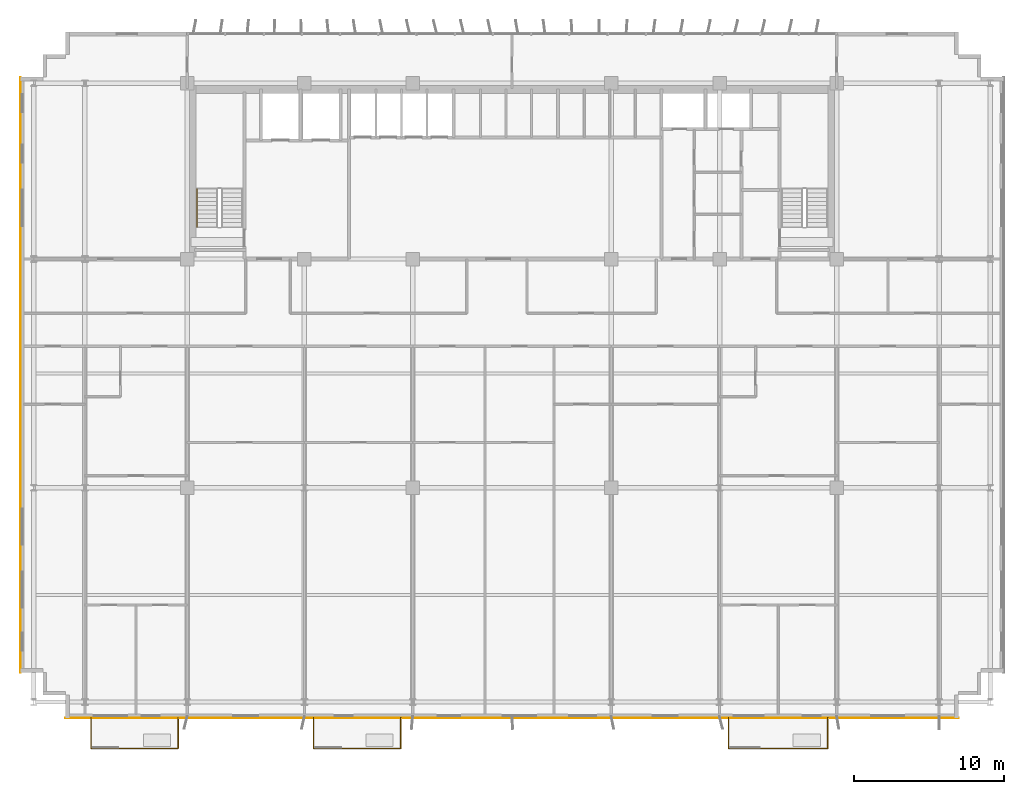
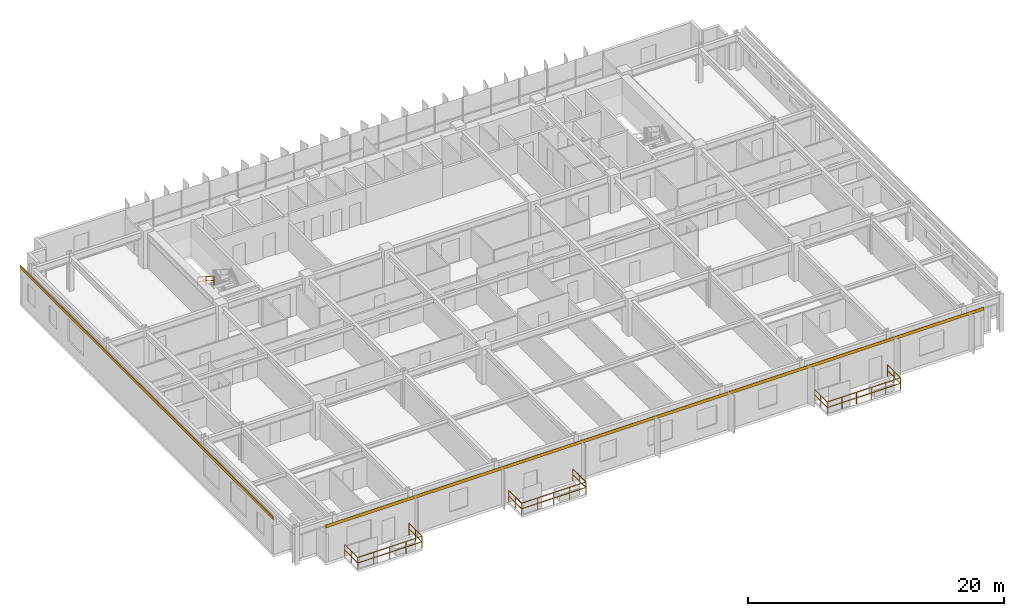
# One storey, part 20 of 22: 10 railings, 2 coverings.
"""IFC4 building model written with IfcOpenShell, lengths in metres."""

from ifc_helpers import new_model, si_unit, direction, frame, origin, origin_2d, place, context, subcontext, project, spatial, rectangle, extrude, source, transform, mapped, material, layer, layer_set, type_object, element, save


model = new_model("IFC4")

# Units and contexts
model_context = context("Model", 3, precision=1e-05, world=origin(), true_north=direction((0.0, 1.0)))
body_context = subcontext(model_context, "Body", "Model", "MODEL_VIEW")
ifc_project = project(units=[si_unit("LENGTHUNIT", "METRE"), si_unit("AREAUNIT", "SQUARE_METRE"), si_unit("VOLUMEUNIT", "CUBIC_METRE"), si_unit("PLANEANGLEUNIT", "RADIAN"), si_unit("MASSUNIT", "GRAM", prefix="KILO")], contexts=[model_context])

# Site, building, storey
site_placement = place(None, origin())
site = spatial("IfcSite", under=ifc_project, at=site_placement, CompositionType="ELEMENT")
building_placement = place(site_placement, origin())
building = spatial("IfcBuilding", under=site, at=building_placement, Name="Trelvane Seafront Commons", CompositionType="ELEMENT")
storey_placement = place(building_placement, frame((0.0, 0.0, 59.5)))
storey = spatial("IfcBuildingStorey", under=building, at=storey_placement, Name="L15", CompositionType="ELEMENT", Elevation=59.5)

# Railings
ifc_material_1 = material(Name="Stainless steel balustrade", Category="steel")
railing_type_1 = type_object("IfcRailingType", Name="ARCH-RAIL-BAL1150", PredefinedType="BALUSTRADE", material=ifc_material_1)
railing_1_placement = place(storey_placement, frame((9.199951171875, 2.89990234375, 0.0)))
element("IfcRailing", 1, at=railing_1_placement, inside=storey, type_object=railing_type_1, Name="RL-L15-BAL0-01", PredefinedType="BALUSTRADE", context=body_context, shape_type="SweptSolid", body=[
    extrude(rectangle(XDim=0.048095703125, YDim=0.048095703125, at=origin_2d()), frame((0.0, 0.0, 1.1259765625), z_axis=(0.0, -1.0, 0.0), x_axis=(1.0, 0.0, 0.0)), (0.0, 0.0, 1.0), 2.039794921875),
    extrude(rectangle(XDim=0.048095703125, YDim=0.048095703125, at=origin_2d()), frame((0.0, 0.0, 0.597900390625), z_axis=(0.0, -1.0, 0.0), x_axis=(1.0, 0.0, 0.0)), (0.0, 0.0, 1.0), 2.039794921875),
    extrude(rectangle(XDim=0.0419921875, YDim=0.0419921875, at=origin_2d()), origin(), (0.0, 0.0, 1.0), 1.1259765625),
    extrude(rectangle(XDim=0.0419921875, YDim=0.0419921875, at=origin_2d()), frame((0.0, -1.02001953125, 0.0)), (0.0, 0.0, 1.0), 1.1259765625),
    extrude(rectangle(XDim=0.0419921875, YDim=0.0419921875, at=origin_2d()), frame((0.0, -2.039794921875, 0.0)), (0.0, 0.0, 1.0), 1.1259765625),
])
railing_2_placement = place(storey_placement, frame((9.199951171875, 0.860107421875, 0.0)))
element("IfcRailing", 2, at=railing_2_placement, inside=storey, type_object=railing_type_1, Name="RL-L15-BAL0-02", PredefinedType="BALUSTRADE", context=body_context, shape_type="SweptSolid", body=[
    extrude(rectangle(XDim=0.048095703125, YDim=0.048095703125, at=origin_2d()), frame((0.0, 0.0, 1.1259765625), z_axis=(1.0, 0.0, 0.0), x_axis=(0.0, 1.0, 0.0)), (0.0, 0.0, 1.0), 5.800048828125),
    extrude(rectangle(XDim=0.048095703125, YDim=0.048095703125, at=origin_2d()), frame((0.0, 0.0, 0.597900390625), z_axis=(1.0, 0.0, 0.0), x_axis=(0.0, 1.0, 0.0)), (0.0, 0.0, 1.0), 5.800048828125),
    extrude(rectangle(XDim=0.0419921875, YDim=0.0419921875, at=origin_2d()), origin(), (0.0, 0.0, 1.0), 1.1259765625),
    extrude(rectangle(XDim=0.0419921875, YDim=0.0419921875, at=origin_2d()), frame((1.449951171875, 0.0, 0.0)), (0.0, 0.0, 1.0), 1.1259765625),
    extrude(rectangle(XDim=0.0419921875, YDim=0.0419921875, at=origin_2d()), frame((2.89990234375, 0.0, 0.0)), (0.0, 0.0, 1.0), 1.1259765625),
    extrude(rectangle(XDim=0.0419921875, YDim=0.0419921875, at=origin_2d()), frame((4.35009765625, 0.0, 0.0)), (0.0, 0.0, 1.0), 1.1259765625),
    extrude(rectangle(XDim=0.0419921875, YDim=0.0419921875, at=origin_2d()), frame((5.800048828125, 0.0, 0.0)), (0.0, 0.0, 1.0), 1.1259765625),
])
railing_3_placement = place(storey_placement, frame((15.0, 0.860107421875, 0.0)))
element("IfcRailing", 3, at=railing_3_placement, inside=storey, type_object=railing_type_1, Name="RL-L15-BAL0-03", PredefinedType="BALUSTRADE", context=body_context, shape_type="SweptSolid", body=[
    extrude(rectangle(XDim=0.048095703125, YDim=0.048095703125, at=origin_2d()), frame((0.0, 0.0, 1.1259765625), z_axis=(0.0, 1.0, 0.0), x_axis=(-1.0, 0.0, 0.0)), (0.0, 0.0, 1.0), 2.039794921875),
    extrude(rectangle(XDim=0.048095703125, YDim=0.048095703125, at=origin_2d()), frame((0.0, 0.0, 0.597900390625), z_axis=(0.0, 1.0, 0.0), x_axis=(-1.0, 0.0, 0.0)), (0.0, 0.0, 1.0), 2.039794921875),
    extrude(rectangle(XDim=0.0419921875, YDim=0.0419921875, at=origin_2d()), origin(), (0.0, 0.0, 1.0), 1.1259765625),
    extrude(rectangle(XDim=0.0419921875, YDim=0.0419921875, at=origin_2d()), frame((0.0, 1.02001953125, 0.0)), (0.0, 0.0, 1.0), 1.1259765625),
    extrude(rectangle(XDim=0.0419921875, YDim=0.0419921875, at=origin_2d()), frame((0.0, 2.039794921875, 0.0)), (0.0, 0.0, 1.0), 1.1259765625),
])
railing_4_placement = place(storey_placement, frame((24.0, 2.89990234375, 0.0)))
element("IfcRailing", 4, at=railing_4_placement, inside=storey, type_object=railing_type_1, Name="RL-L15-BAL1-01", PredefinedType="BALUSTRADE", context=body_context, shape_type="SweptSolid", body=[
    extrude(rectangle(XDim=0.048095703125, YDim=0.048095703125, at=origin_2d()), frame((0.0, 0.0, 1.1259765625), z_axis=(0.0, -1.0, 0.0), x_axis=(1.0, 0.0, 0.0)), (0.0, 0.0, 1.0), 2.039794921875),
    extrude(rectangle(XDim=0.048095703125, YDim=0.048095703125, at=origin_2d()), frame((0.0, 0.0, 0.597900390625), z_axis=(0.0, -1.0, 0.0), x_axis=(1.0, 0.0, 0.0)), (0.0, 0.0, 1.0), 2.039794921875),
    extrude(rectangle(XDim=0.0419921875, YDim=0.0419921875, at=origin_2d()), origin(), (0.0, 0.0, 1.0), 1.1259765625),
    extrude(rectangle(XDim=0.0419921875, YDim=0.0419921875, at=origin_2d()), frame((0.0, -1.02001953125, 0.0)), (0.0, 0.0, 1.0), 1.1259765625),
    extrude(rectangle(XDim=0.0419921875, YDim=0.0419921875, at=origin_2d()), frame((0.0, -2.039794921875, 0.0)), (0.0, 0.0, 1.0), 1.1259765625),
])
railing_5_placement = place(storey_placement, frame((24.0, 0.860107421875, 0.0)))
element("IfcRailing", 5, at=railing_5_placement, inside=storey, type_object=railing_type_1, Name="RL-L15-BAL1-02", PredefinedType="BALUSTRADE", context=body_context, shape_type="SweptSolid", body=[
    extrude(rectangle(XDim=0.048095703125, YDim=0.048095703125, at=origin_2d()), frame((0.0, 0.0, 1.1259765625), z_axis=(1.0, 0.0, 0.0), x_axis=(0.0, 1.0, 0.0)), (0.0, 0.0, 1.0), 5.800048828125),
    extrude(rectangle(XDim=0.048095703125, YDim=0.048095703125, at=origin_2d()), frame((0.0, 0.0, 0.597900390625), z_axis=(1.0, 0.0, 0.0), x_axis=(0.0, 1.0, 0.0)), (0.0, 0.0, 1.0), 5.800048828125),
    extrude(rectangle(XDim=0.0419921875, YDim=0.0419921875, at=origin_2d()), origin(), (0.0, 0.0, 1.0), 1.1259765625),
    extrude(rectangle(XDim=0.0419921875, YDim=0.0419921875, at=origin_2d()), frame((1.449951171875, 0.0, 0.0)), (0.0, 0.0, 1.0), 1.1259765625),
    extrude(rectangle(XDim=0.0419921875, YDim=0.0419921875, at=origin_2d()), frame((2.89990234375, 0.0, 0.0)), (0.0, 0.0, 1.0), 1.1259765625),
    extrude(rectangle(XDim=0.0419921875, YDim=0.0419921875, at=origin_2d()), frame((4.35009765625, 0.0, 0.0)), (0.0, 0.0, 1.0), 1.1259765625),
    extrude(rectangle(XDim=0.0419921875, YDim=0.0419921875, at=origin_2d()), frame((5.800048828125, 0.0, 0.0)), (0.0, 0.0, 1.0), 1.1259765625),
])
railing_6_placement = place(storey_placement, frame((29.800048828125, 0.860107421875, 0.0)))
element("IfcRailing", 6, at=railing_6_placement, inside=storey, type_object=railing_type_1, Name="RL-L15-BAL1-03", PredefinedType="BALUSTRADE", context=body_context, shape_type="SweptSolid", body=[
    extrude(rectangle(XDim=0.048095703125, YDim=0.048095703125, at=origin_2d()), frame((0.0, 0.0, 1.1259765625), z_axis=(0.0, 1.0, 0.0), x_axis=(-1.0, 0.0, 0.0)), (0.0, 0.0, 1.0), 2.039794921875),
    extrude(rectangle(XDim=0.048095703125, YDim=0.048095703125, at=origin_2d()), frame((0.0, 0.0, 0.597900390625), z_axis=(0.0, 1.0, 0.0), x_axis=(-1.0, 0.0, 0.0)), (0.0, 0.0, 1.0), 2.039794921875),
    extrude(rectangle(XDim=0.0419921875, YDim=0.0419921875, at=origin_2d()), origin(), (0.0, 0.0, 1.0), 1.1259765625),
    extrude(rectangle(XDim=0.0419921875, YDim=0.0419921875, at=origin_2d()), frame((0.0, 1.02001953125, 0.0)), (0.0, 0.0, 1.0), 1.1259765625),
    extrude(rectangle(XDim=0.0419921875, YDim=0.0419921875, at=origin_2d()), frame((0.0, 2.039794921875, 0.0)), (0.0, 0.0, 1.0), 1.1259765625),
])
railing_7_placement = place(storey_placement, frame((51.60009765625, 2.89990234375, 0.0)))
element("IfcRailing", 7, at=railing_7_placement, inside=storey, type_object=railing_type_1, Name="RL-L15-BAL2-01", PredefinedType="BALUSTRADE", context=body_context, shape_type="SweptSolid", body=[
    extrude(rectangle(XDim=0.048095703125, YDim=0.048095703125, at=origin_2d()), frame((0.0, 0.0, 1.1259765625), z_axis=(0.0, -1.0, 0.0), x_axis=(1.0, 0.0, 0.0)), (0.0, 0.0, 1.0), 2.039794921875),
    extrude(rectangle(XDim=0.048095703125, YDim=0.048095703125, at=origin_2d()), frame((0.0, 0.0, 0.597900390625), z_axis=(0.0, -1.0, 0.0), x_axis=(1.0, 0.0, 0.0)), (0.0, 0.0, 1.0), 2.039794921875),
    extrude(rectangle(XDim=0.0419921875, YDim=0.0419921875, at=origin_2d()), origin(), (0.0, 0.0, 1.0), 1.1259765625),
    extrude(rectangle(XDim=0.0419921875, YDim=0.0419921875, at=origin_2d()), frame((0.0, -1.02001953125, 0.0)), (0.0, 0.0, 1.0), 1.1259765625),
    extrude(rectangle(XDim=0.0419921875, YDim=0.0419921875, at=origin_2d()), frame((0.0, -2.039794921875, 0.0)), (0.0, 0.0, 1.0), 1.1259765625),
])
railing_8_placement = place(storey_placement, frame((51.60009765625, 0.860107421875, 0.0)))
element("IfcRailing", 8, at=railing_8_placement, inside=storey, type_object=railing_type_1, Name="RL-L15-BAL2-02", PredefinedType="BALUSTRADE", context=body_context, shape_type="SweptSolid", body=[
    extrude(rectangle(XDim=0.048095703125, YDim=0.048095703125, at=origin_2d()), frame((0.0, 0.0, 1.1259765625), z_axis=(1.0, 0.0, 0.0), x_axis=(0.0, 1.0, 0.0)), (0.0, 0.0, 1.0), 6.599853515625),
    extrude(rectangle(XDim=0.048095703125, YDim=0.048095703125, at=origin_2d()), frame((0.0, 0.0, 0.597900390625), z_axis=(1.0, 0.0, 0.0), x_axis=(0.0, 1.0, 0.0)), (0.0, 0.0, 1.0), 6.599853515625),
    extrude(rectangle(XDim=0.0419921875, YDim=0.0419921875, at=origin_2d()), origin(), (0.0, 0.0, 1.0), 1.1259765625),
    extrude(rectangle(XDim=0.0419921875, YDim=0.0419921875, at=origin_2d()), frame((1.320068359375, 0.0, 0.0)), (0.0, 0.0, 1.0), 1.1259765625),
    extrude(rectangle(XDim=0.0419921875, YDim=0.0419921875, at=origin_2d()), frame((2.639892578125, 0.0, 0.0)), (0.0, 0.0, 1.0), 1.1259765625),
    extrude(rectangle(XDim=0.0419921875, YDim=0.0419921875, at=origin_2d()), frame((3.9599609375, 0.0, 0.0)), (0.0, 0.0, 1.0), 1.1259765625),
    extrude(rectangle(XDim=0.0419921875, YDim=0.0419921875, at=origin_2d()), frame((5.27978515625, 0.0, 0.0)), (0.0, 0.0, 1.0), 1.1259765625),
    extrude(rectangle(XDim=0.0419921875, YDim=0.0419921875, at=origin_2d()), frame((6.599853515625, 0.0, 0.0)), (0.0, 0.0, 1.0), 1.1259765625),
])
railing_9_placement = place(storey_placement, frame((58.199951171875, 0.860107421875, 0.0)))
element("IfcRailing", 9, at=railing_9_placement, inside=storey, type_object=railing_type_1, Name="RL-L15-BAL2-03", PredefinedType="BALUSTRADE", context=body_context, shape_type="SweptSolid", body=[
    extrude(rectangle(XDim=0.048095703125, YDim=0.048095703125, at=origin_2d()), frame((0.0, 0.0, 1.1259765625), z_axis=(0.0, 1.0, 0.0), x_axis=(-1.0, 0.0, 0.0)), (0.0, 0.0, 1.0), 2.039794921875),
    extrude(rectangle(XDim=0.048095703125, YDim=0.048095703125, at=origin_2d()), frame((0.0, 0.0, 0.597900390625), z_axis=(0.0, 1.0, 0.0), x_axis=(-1.0, 0.0, 0.0)), (0.0, 0.0, 1.0), 2.039794921875),
    extrude(rectangle(XDim=0.0419921875, YDim=0.0419921875, at=origin_2d()), origin(), (0.0, 0.0, 1.0), 1.1259765625),
    extrude(rectangle(XDim=0.0419921875, YDim=0.0419921875, at=origin_2d()), frame((0.0, 1.02001953125, 0.0)), (0.0, 0.0, 1.0), 1.1259765625),
    extrude(rectangle(XDim=0.0419921875, YDim=0.0419921875, at=origin_2d()), frame((0.0, 2.039794921875, 0.0)), (0.0, 0.0, 1.0), 1.1259765625),
])
railing_type_2 = type_object("IfcRailingType", Name="ARCH-SRL-HAND", PredefinedType="HANDRAIL", material=ifc_material_1)
railing_10_placement = place(storey_placement, frame((16.25, 38.070068359375, 1.97998046875)))
element("IfcRailing", 10, at=railing_10_placement, inside=storey, type_object=railing_type_2, Name="L15 ST-1 stair handrail 2", PredefinedType="HANDRAIL", context=body_context, shape_type="SweptSolid", body=[
    extrude(rectangle(XDim=0.048095703125, YDim=0.048095703125, at=origin_2d()), frame((0.0, 0.0, 0.8759765625), z_axis=(0.0, -0.841162588446, 0.540782303519), x_axis=(1.0, 0.0, 0.0)), (0.0, 0.0, 1.0), 2.995849609375),
    extrude(rectangle(XDim=0.048095703125, YDim=0.048095703125, at=origin_2d()), frame((0.0, 0.0, 0.468017578125), z_axis=(0.0, -0.841162588446, 0.540782303519), x_axis=(1.0, 0.0, 0.0)), (0.0, 0.0, 1.0), 2.995849609375),
    extrude(rectangle(XDim=0.0419921875, YDim=0.0419921875, at=origin_2d()), origin(), (0.0, 0.0, 1.0), 0.8759765625),
    extrude(rectangle(XDim=0.0419921875, YDim=0.0419921875, at=origin_2d()), frame((0.0, -1.260009765625, 0.81005859375)), (0.0, 0.0, 1.0), 0.8759765625),
    extrude(rectangle(XDim=0.0419921875, YDim=0.0419921875, at=origin_2d()), frame((0.0, -2.52001953125, 1.6201171875)), (0.0, 0.0, 1.0), 0.8759765625),
])

# Coverings
ifc_material_2 = material(Name="Anodised pale-silver aluminium", Category="aluminium")
ifc_layer = layer(ifc_material_2, 0.034912109375, Name="ARCH-COV-CLAD35")
ifc_layer_set = layer_set([ifc_layer], Name="Anodised pale-silver aluminium")
covering_type = type_object("IfcCoveringType", Name="ARCH-COV-CLAD35", PredefinedType="CLADDING", material=ifc_layer_set)
shared_shape_1 = source(origin(), body_context, "Body", "SweptSolid", [
    extrude(rectangle(XDim=39.60009765625, YDim=0.034912109375, at=origin_2d()), origin(), (0.0, 0.0, 1.0), 0.300048828125),
])
covering_1_placement = place(storey_placement, frame((4.5, 25.699951171875, 3.2998046875), z_axis=(0.0, 0.0, 1.0), x_axis=(0.0, 1.0, 0.0)))
element("IfcCovering", 11, at=covering_1_placement, inside=storey, type_object=covering_type, Name="CLD-L15-00069", PredefinedType="CLADDING", context=body_context, shape_type="MappedRepresentation", body=[
    mapped(shared_shape_1, transform((0.0, 0.0, 0.0), x_axis=(1.0, 0.0, 0.0), y_axis=(0.0, 1.0, 0.0), z_axis=(0.0, 0.0, 1.0), scale=1.0)),
])
shared_shape_2 = source(origin(), body_context, "Body", "SweptSolid", [
    extrude(rectangle(XDim=59.39990234375, YDim=0.034912109375, at=origin_2d()), origin(), (0.0, 0.0, 1.0), 0.300048828125),
])
covering_2_placement = place(storey_placement, frame((37.199951171875, 2.89990234375, 3.2998046875), z_axis=(0.0, 0.0, 1.0), x_axis=(-1.0, 0.0, 0.0)))
element("IfcCovering", 12, at=covering_2_placement, inside=storey, type_object=covering_type, Name="CLD-L15-00071", PredefinedType="CLADDING", context=body_context, shape_type="MappedRepresentation", body=[
    mapped(shared_shape_2, transform((0.0, 0.0, 0.0), x_axis=(1.0, 0.0, 0.0), y_axis=(0.0, 1.0, 0.0), z_axis=(0.0, 0.0, 1.0), scale=1.0)),
])

save(model, "model.ifc")
